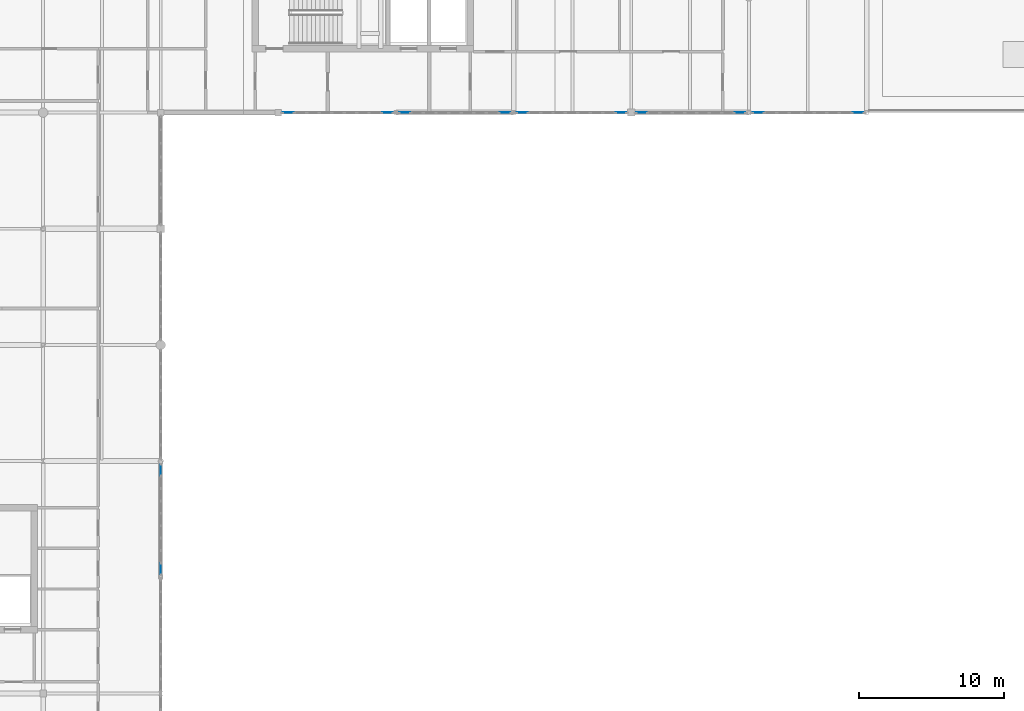
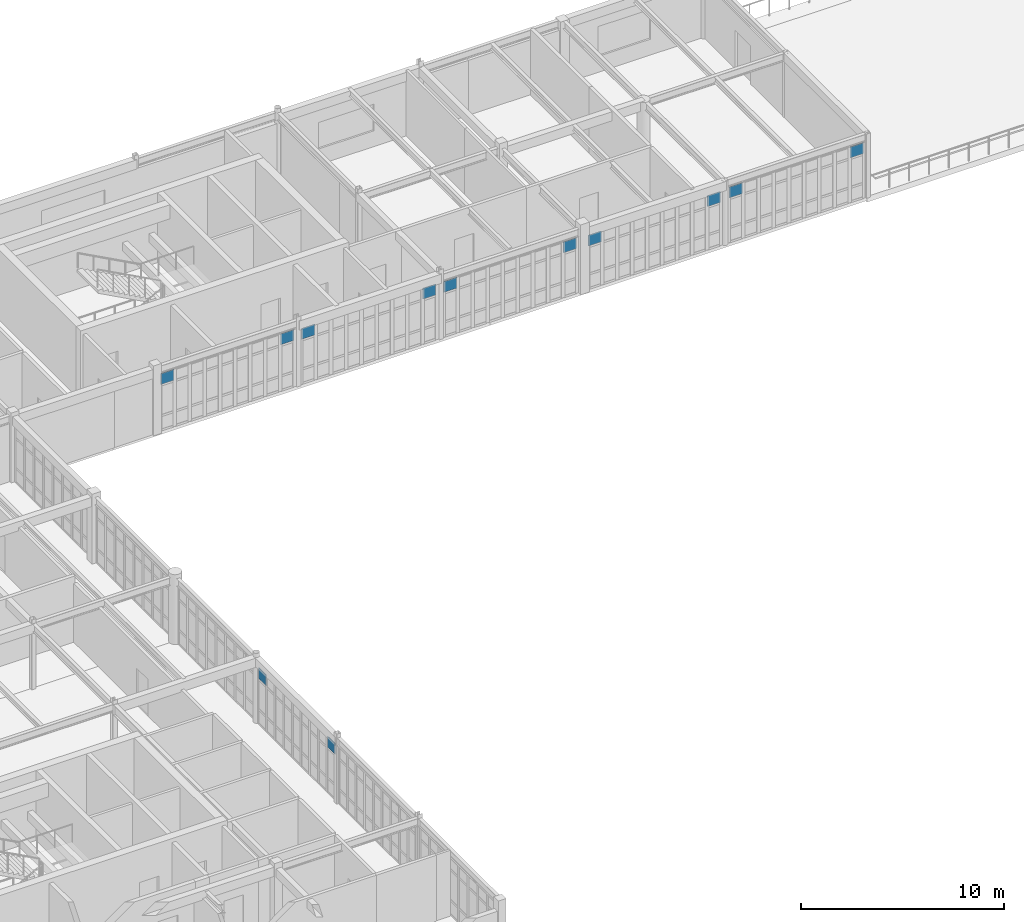
# One storey, part 29 of 36: 12 plates, 6 elements without a shape of their own.
"""IFC4 building model written with IfcOpenShell, lengths in metres."""

from ifc_helpers import new_model, si_unit, direction, frame, origin, origin_2d, place, context, subcontext, project, spatial, rectangle, extrude, material, layer, layer_set, type_object, element, aggregate, save


model = new_model("IFC4")

# Units and contexts
model_context = context("Model", 3, precision=1e-05, world=origin(), true_north=direction((0.0, 1.0)))
body_context = subcontext(model_context, "Body", "Model", "MODEL_VIEW")
ifc_project = project(units=[si_unit("LENGTHUNIT", "METRE"), si_unit("AREAUNIT", "SQUARE_METRE"), si_unit("VOLUMEUNIT", "CUBIC_METRE"), si_unit("PLANEANGLEUNIT", "RADIAN"), si_unit("MASSUNIT", "GRAM", prefix="KILO")], contexts=[model_context])

# Site, building, storey
site_placement = place(None, origin())
site = spatial("IfcSite", under=ifc_project, at=site_placement, CompositionType="ELEMENT")
building_placement = place(site_placement, origin())
building = spatial("IfcBuilding", under=site, at=building_placement, Name="Tarnveldt Square Police Headquarters", CompositionType="ELEMENT")
storey_placement = place(building_placement, frame((0.0, 0.0, 24.89990234375)))
storey = spatial("IfcBuildingStorey", under=building, at=storey_placement, Name="L05", CompositionType="ELEMENT", Elevation=24.89990234375)

# Curtain wall, plates
ifc_material = material(Name="Triple-glazed low-e laminated vision glass", Category="glass")
curtain_wall_type_1 = type_object("IfcCurtainWallType", Name="CW-UP-768x345", PredefinedType="USERDEFINED", material=ifc_material)
curtain_wall_1_placement = place(storey_placement, origin())
curtain_wall_1 = element("IfcCurtainWall", 1, at=curtain_wall_1_placement, inside=storey, type_object=curtain_wall_type_1, Name="L05 Curtain Wall CW-L05-085", ObjectType="GLAZED CURTAIN WALL", PredefinedType="USERDEFINED")
ifc_layer = layer(ifc_material, 0.028076171875)
ifc_layer_set = layer_set([ifc_layer], Name="Triple-glazed low-e laminated vision glass")
plate_type = type_object("IfcPlateType", Name="CWP-VIS-28", PredefinedType="CURTAIN_PANEL", material=ifc_layer_set)
plate_1_placement = place(storey_placement, frame((40.5, 64.5849609375, 2.734375), z_axis=(0.0, 0.0, 1.0), x_axis=(0.0, 1.0, 0.0)))
plate_1 = element("IfcPlate", 2, at=plate_1_placement, type_object=plate_type, Name="CW-UP43 panel 1.3", PredefinedType="CURTAIN_PANEL", context=body_context, shape_type="SweptSolid", body=[
    extrude(rectangle(XDim=0.755859375, YDim=0.028076171875, at=origin_2d()), origin(), (0.0, 0.0, 1.0), 0.652587890625),
])
plate_2_placement = place(storey_placement, frame((40.5, 71.380126953125, 2.734375), z_axis=(0.0, 0.0, 1.0), x_axis=(0.0, 1.0, 0.0)))
plate_2 = element("IfcPlate", 3, at=plate_2_placement, type_object=plate_type, Name="CW-UP43 panel 9.3", PredefinedType="CURTAIN_PANEL", context=body_context, shape_type="SweptSolid", body=[
    extrude(rectangle(XDim=0.755859375, YDim=0.028076171875, at=origin_2d()), origin(), (0.0, 0.0, 1.0), 0.652587890625),
])
aggregate(curtain_wall_1, [plate_1, plate_2])

curtain_wall_type_2 = type_object("IfcCurtainWallType", Name="CW-LB-771x349", PredefinedType="USERDEFINED", material=ifc_material)
curtain_wall_2_placement = place(storey_placement, origin())
curtain_wall_2 = element("IfcCurtainWall", 4, at=curtain_wall_2_placement, inside=storey, type_object=curtain_wall_type_2, Name="L05 Curtain Wall CW-L05-133", ObjectType="GLAZED CURTAIN WALL", PredefinedType="USERDEFINED")
plate_3_placement = place(storey_placement, frame((49.287353515625, 96.0, 2.771484375), z_axis=(0.0, 0.0, 1.0), x_axis=(1.0, 0.0, 0.0)))
plate_3 = element("IfcPlate", 5, at=plate_3_placement, type_object=plate_type, Name="CW-LB80 panel 1.3", PredefinedType="CURTAIN_PANEL", context=body_context, shape_type="SweptSolid", body=[
    extrude(rectangle(XDim=0.74462890625, YDim=0.028076171875, at=origin_2d()), origin(), (0.0, 0.0, 1.0), 0.652587890625),
])
plate_4_placement = place(storey_placement, frame((56.107666015625, 96.0, 2.771484375), z_axis=(0.0, 0.0, 1.0), x_axis=(1.0, 0.0, 0.0)))
plate_4 = element("IfcPlate", 6, at=plate_4_placement, type_object=plate_type, Name="CW-LB80 panel 9.3", PredefinedType="CURTAIN_PANEL", context=body_context, shape_type="SweptSolid", body=[
    extrude(rectangle(XDim=0.74462890625, YDim=0.028076171875, at=origin_2d()), origin(), (0.0, 0.0, 1.0), 0.652587890625),
])
aggregate(curtain_wall_2, [plate_3, plate_4])

curtain_wall_type_3 = type_object("IfcCurtainWallType", Name="CW-LB-781x340", PredefinedType="USERDEFINED", material=ifc_material)
curtain_wall_3_placement = place(storey_placement, origin())
curtain_wall_3 = element("IfcCurtainWall", 7, at=curtain_wall_3_placement, inside=storey, type_object=curtain_wall_type_3, Name="L05 Curtain Wall CW-L05-134", ObjectType="GLAZED CURTAIN WALL", PredefinedType="USERDEFINED")
plate_5_placement = place(storey_placement, frame((57.297607421875, 96.0, 2.6845703125), z_axis=(0.0, 0.0, 1.0), x_axis=(1.0, 0.0, 0.0)))
plate_5 = element("IfcPlate", 8, at=plate_5_placement, type_object=plate_type, Name="CW-LB81 panel 1.3", PredefinedType="CURTAIN_PANEL", context=body_context, shape_type="SweptSolid", body=[
    extrude(rectangle(XDim=0.75537109375, YDim=0.028076171875, at=origin_2d()), origin(), (0.0, 0.0, 1.0), 0.652587890625),
])
plate_6_placement = place(storey_placement, frame((64.202392578125, 96.0, 2.6845703125), z_axis=(0.0, 0.0, 1.0), x_axis=(1.0, 0.0, 0.0)))
plate_6 = element("IfcPlate", 9, at=plate_6_placement, type_object=plate_type, Name="CW-LB81 panel 9.3", PredefinedType="CURTAIN_PANEL", context=body_context, shape_type="SweptSolid", body=[
    extrude(rectangle(XDim=0.75537109375, YDim=0.028076171875, at=origin_2d()), origin(), (0.0, 0.0, 1.0), 0.652587890625),
])
aggregate(curtain_wall_3, [plate_5, plate_6])

curtain_wall_type_4 = type_object("IfcCurtainWallType", Name="CW-LB-769x339", PredefinedType="USERDEFINED", material=ifc_material)
curtain_wall_4_placement = place(storey_placement, origin())
curtain_wall_4 = element("IfcCurtainWall", 10, at=curtain_wall_4_placement, inside=storey, type_object=curtain_wall_type_4, Name="L05 Curtain Wall CW-L05-135", ObjectType="GLAZED CURTAIN WALL", PredefinedType="USERDEFINED")
plate_7_placement = place(storey_placement, frame((65.390869140625, 96.0, 2.67138671875), z_axis=(0.0, 0.0, 1.0), x_axis=(1.0, 0.0, 0.0)))
plate_7 = element("IfcPlate", 11, at=plate_7_placement, type_object=plate_type, Name="CW-LB82 panel 1.3", PredefinedType="CURTAIN_PANEL", context=body_context, shape_type="SweptSolid", body=[
    extrude(rectangle(XDim=0.741943359375, YDim=0.028076171875, at=origin_2d()), origin(), (0.0, 0.0, 1.0), 0.652587890625),
])
plate_8_placement = place(storey_placement, frame((72.18896484375, 96.0, 2.67138671875), z_axis=(0.0, 0.0, 1.0), x_axis=(1.0, 0.0, 0.0)))
plate_8 = element("IfcPlate", 12, at=plate_8_placement, type_object=plate_type, Name="CW-LB82 panel 9.3", PredefinedType="CURTAIN_PANEL", context=body_context, shape_type="SweptSolid", body=[
    extrude(rectangle(XDim=0.741943359375, YDim=0.028076171875, at=origin_2d()), origin(), (0.0, 0.0, 1.0), 0.652587890625),
])
aggregate(curtain_wall_4, [plate_7, plate_8])

curtain_wall_type_5 = type_object("IfcCurtainWallType", Name="CW-LB-766x330", PredefinedType="USERDEFINED", material=ifc_material)
curtain_wall_5_placement = place(storey_placement, origin())
curtain_wall_5 = element("IfcCurtainWall", 13, at=curtain_wall_5_placement, inside=storey, type_object=curtain_wall_type_5, Name="L05 Curtain Wall CW-L05-136", ObjectType="GLAZED CURTAIN WALL", PredefinedType="USERDEFINED")
plate_9_placement = place(storey_placement, frame((73.609130859375, 96.0, 2.58447265625), z_axis=(0.0, 0.0, 1.0), x_axis=(1.0, 0.0, 0.0)))
plate_9 = element("IfcPlate", 14, at=plate_9_placement, type_object=plate_type, Name="CW-LB83 panel 1.3", PredefinedType="CURTAIN_PANEL", context=body_context, shape_type="SweptSolid", body=[
    extrude(rectangle(XDim=0.73828125, YDim=0.028076171875, at=origin_2d()), origin(), (0.0, 0.0, 1.0), 0.652587890625),
])
plate_10_placement = place(storey_placement, frame((80.37890625, 96.0, 2.58447265625), z_axis=(0.0, 0.0, 1.0), x_axis=(1.0, 0.0, 0.0)))
plate_10 = element("IfcPlate", 15, at=plate_10_placement, type_object=plate_type, Name="CW-LB83 panel 9.3", PredefinedType="CURTAIN_PANEL", context=body_context, shape_type="SweptSolid", body=[
    extrude(rectangle(XDim=0.73828125, YDim=0.028076171875, at=origin_2d()), origin(), (0.0, 0.0, 1.0), 0.652587890625),
])
aggregate(curtain_wall_5, [plate_9, plate_10])

curtain_wall_type_6 = type_object("IfcCurtainWallType", Name="CW-LB-778x339", PredefinedType="USERDEFINED", material=ifc_material)
curtain_wall_6_placement = place(storey_placement, origin())
curtain_wall_6 = element("IfcCurtainWall", 16, at=curtain_wall_6_placement, inside=storey, type_object=curtain_wall_type_6, Name="L05 Curtain Wall CW-L05-137", ObjectType="GLAZED CURTAIN WALL", PredefinedType="USERDEFINED")
plate_11_placement = place(storey_placement, frame((81.6279296875, 96.0, 2.67138671875), z_axis=(0.0, 0.0, 1.0), x_axis=(1.0, 0.0, 0.0)))
plate_11 = element("IfcPlate", 17, at=plate_11_placement, type_object=plate_type, Name="CW-LB84 panel 1.3", PredefinedType="CURTAIN_PANEL", context=body_context, shape_type="SweptSolid", body=[
    extrude(rectangle(XDim=0.751953125, YDim=0.028076171875, at=origin_2d()), origin(), (0.0, 0.0, 1.0), 0.652587890625),
])
plate_12_placement = place(storey_placement, frame((88.507080078125, 96.0, 2.67138671875), z_axis=(0.0, 0.0, 1.0), x_axis=(1.0, 0.0, 0.0)))
plate_12 = element("IfcPlate", 18, at=plate_12_placement, type_object=plate_type, Name="CW-LB84 panel 9.3", PredefinedType="CURTAIN_PANEL", context=body_context, shape_type="SweptSolid", body=[
    extrude(rectangle(XDim=0.751953125, YDim=0.028076171875, at=origin_2d()), origin(), (0.0, 0.0, 1.0), 0.652587890625),
])
aggregate(curtain_wall_6, [plate_11, plate_12])

save(model, "model.ifc")
